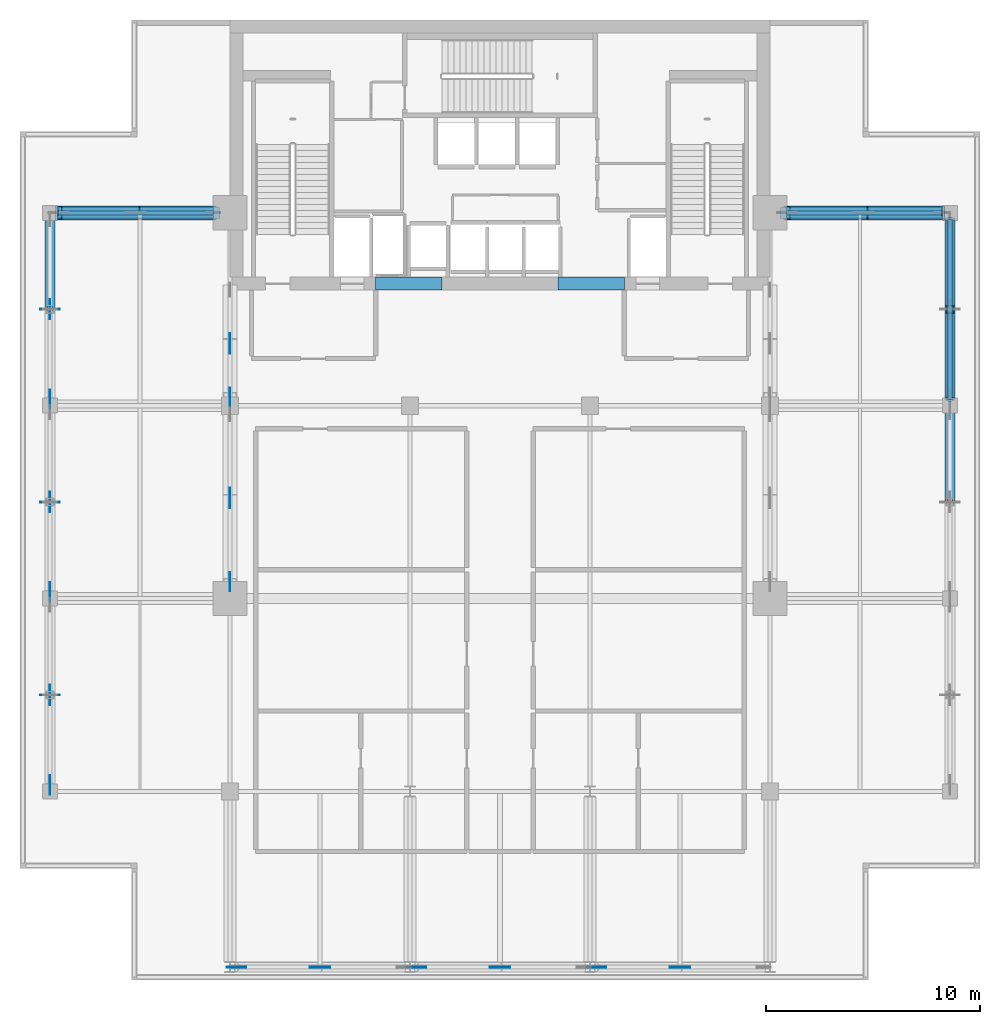
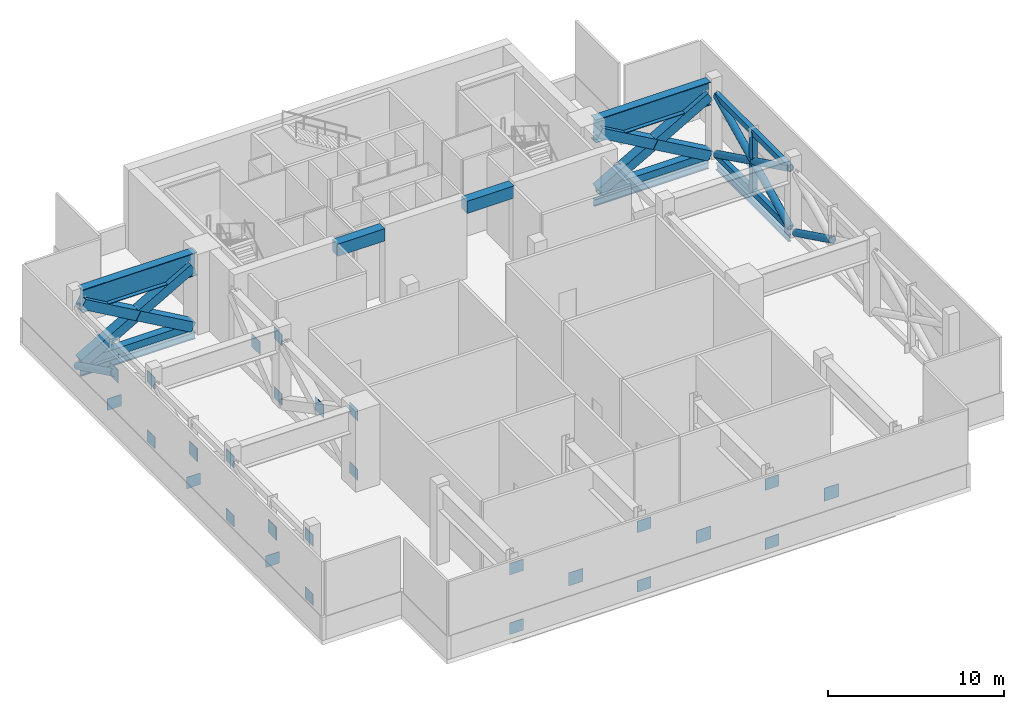
# One storey, part 3 of 11: 27 plates, 16 members, 7 beams.
"""IFC4 building model written with IfcOpenShell, lengths in metres."""

from ifc_helpers import new_model, si_unit, direction, frame, origin, origin_2d, place, context, subcontext, project, spatial, rectangle, hollow_rectangle, hollow_circle, i_section, extrude, material, layer, layer_set, material_profile, profile_set, type_object, element, save


model = new_model("IFC4")

# Units and contexts
model_context = context("Model", 3, precision=1e-05, world=origin(), true_north=direction((0.0, 1.0)))
body_context = subcontext(model_context, "Body", "Model", "MODEL_VIEW")
ifc_project = project(units=[si_unit("LENGTHUNIT", "METRE"), si_unit("AREAUNIT", "SQUARE_METRE"), si_unit("VOLUMEUNIT", "CUBIC_METRE"), si_unit("PLANEANGLEUNIT", "RADIAN"), si_unit("MASSUNIT", "GRAM", prefix="KILO")], contexts=[model_context])

# Site, building, storey
site_placement = place(None, origin())
site = spatial("IfcSite", under=ifc_project, at=site_placement, CompositionType="ELEMENT")
building_placement = place(site_placement, origin())
building = spatial("IfcBuilding", under=site, at=building_placement, Name="Maruvema Waterfront Hotel and Observation Tower", CompositionType="ELEMENT")
storey_placement = place(building_placement, frame((0.0, 0.0, 316.39990234375)))
storey = spatial("IfcBuildingStorey", under=building, at=storey_placement, Name="L78", CompositionType="ELEMENT", Elevation=316.39990234375)

# Beams
ifc_material_1 = material(Name="Concrete C60/75", Category="concrete")
ifc_material_profile_1 = material_profile(ifc_material_1, rectangle(XDim=0.60009765625, YDim=0.85009765625, at=origin_2d()), Name="CB600x850")
ifc_profile_set_1 = profile_set([ifc_material_profile_1], Name="Concrete C60/75")
beam_type_1 = type_object("IfcBeamType", Name="Core Coupling Lintel Beam CB600x850", PredefinedType="LINTEL", material=ifc_profile_set_1)
for number, where, z_axis, x_axis, name in (
    (1, (32.0, 41.699951171875, 4.93505859375), (1.0, 0.0, 0.0), (0.0, 1.0, 0.0), "L78 Core Coupling Lintel Beam West"),
    (2, (40.5, 41.699951171875, 4.93505859375), (1.0, 0.0, 0.0), (0.0, 1.0, 0.0), "L78 Core Coupling Lintel Beam East"),
):
    element("IfcBeam", number, at=place(storey_placement, frame(where, z_axis=z_axis, x_axis=x_axis)), inside=storey, type_object=beam_type_1, Name=name, PredefinedType="LINTEL", context=body_context, shape_type="SweptSolid", body=[
        extrude(rectangle(XDim=0.60009765625, YDim=0.85009765625, at=origin_2d()), origin(), (0.0, 0.0, 1.0), 3.10009765625),
    ])

# Members
ifc_material_2 = material(Name="Steel ABNT NBR 7007 AR 415 (ASTM A572 Grade 50)", Category="steel")
ifc_material_profile_2 = material_profile(ifc_material_2, hollow_rectangle(XDim=0.5, YDim=0.5, WallThickness=0.028076171875, at=origin_2d()), Name="SHS500x500x28.0")
ifc_profile_set_2 = profile_set([ifc_material_profile_2], Name="Steel ABNT NBR 7007 AR 415 (ASTM A572 Grade 50)")
member_type_1 = type_object("IfcMemberType", Name="Outrigger Truss Chord SHS500x500x28.0", PredefinedType="CHORD", material=ifc_profile_set_2)
for number, where, z_axis, x_axis, name in (
    (3, (17.199951171875, 45.0, 0.25), (1.0, 0.0, 0.0), (0.0, 1.0, 0.0), "L78 Outrigger Wing Bottom Chord W1"),
    (4, (51.179931640625, 45.0, 0.25), (1.0, 0.0, 0.0), (0.0, 1.0, 0.0), "L78 Outrigger Wing Bottom Chord E1"),
):
    element("IfcMember", number, at=place(storey_placement, frame(where, z_axis=z_axis, x_axis=x_axis)), inside=storey, type_object=member_type_1, Name=name, PredefinedType="CHORD", context=body_context, shape_type="SweptSolid", body=[
        extrude(hollow_rectangle(XDim=0.5, YDim=0.5, WallThickness=0.028076171875, at=origin_2d()), origin(), (0.0, 0.0, 1.0), 7.219970703125),
    ])
ifc_material_3 = material(Name="Steel ABNT NBR 7007 AR 415 (ASTM A572 Grade 50)", Category="steel")
ifc_material_profile_3 = material_profile(ifc_material_3, hollow_rectangle(XDim=0.64990234375, YDim=0.64990234375, WallThickness=0.035888671875, at=origin_2d()), Name="SHS650x650x36.0")
ifc_profile_set_3 = profile_set([ifc_material_profile_3], Name="Steel ABNT NBR 7007 AR 415 (ASTM A572 Grade 50)")
member_type_2 = type_object("IfcMemberType", Name="Outrigger Truss Diagonal SHS650x650x36.0", PredefinedType="BRACE", material=ifc_profile_set_3)
member_1_placement = place(storey_placement, frame((17.199951171875, 45.0, 0.25), z_axis=(0.868013655597, 0.0, 0.496540324341), x_axis=(0.0, 1.0, 0.0)))
element("IfcMember", 5, at=member_1_placement, inside=storey, type_object=member_type_2, Name="L78 Outrigger Wing Diagonal W1 Continuous A", PredefinedType="BRACE", context=body_context, shape_type="SweptSolid", body=[
    extrude(hollow_rectangle(XDim=0.64990234375, YDim=0.64990234375, WallThickness=0.035888671875, at=origin_2d()), origin(), (0.0, 0.0, 1.0), 8.31787109375),
])
for number, where, z_axis, x_axis, name in (
    (6, (24.419921875, 45.0, 0.25), (-0.868003460233, 0.0, 0.496558146669), (0.0, -1.0, 0.0), "L78 Outrigger Wing Diagonal W1 Split Lower B1"),
    (7, (20.79248046875, 45.0, 2.324951171875), (-0.868003460233, 0.0, 0.496558146669), (0.0, -1.0, 0.0), "L78 Outrigger Wing Diagonal W1 Split Upper B2"),
):
    element("IfcMember", number, at=place(storey_placement, frame(where, z_axis=z_axis, x_axis=x_axis)), inside=storey, type_object=member_type_2, Name=name, PredefinedType="BRACE", context=body_context, shape_type="SweptSolid", body=[
        extrude(hollow_rectangle(XDim=0.64990234375, YDim=0.64990234375, WallThickness=0.035888671875, at=origin_2d()), origin(), (0.0, 0.0, 1.0), 4.138916015625),
    ])
member_2_placement = place(storey_placement, frame((51.179931640625, 45.0, 0.25), z_axis=(0.868013655597, 0.0, 0.496540324341), x_axis=(0.0, 1.0, 0.0)))
element("IfcMember", 8, at=member_2_placement, inside=storey, type_object=member_type_2, Name="L78 Outrigger Wing Diagonal E1 Continuous A", PredefinedType="BRACE", context=body_context, shape_type="SweptSolid", body=[
    extrude(hollow_rectangle(XDim=0.64990234375, YDim=0.64990234375, WallThickness=0.035888671875, at=origin_2d()), origin(), (0.0, 0.0, 1.0), 8.31787109375),
])
member_3_placement = place(storey_placement, frame((58.39990234375, 45.0, 0.25), z_axis=(-0.868003460233, 0.0, 0.496558146669), x_axis=(0.0, -1.0, 0.0)))
element("IfcMember", 9, at=member_3_placement, inside=storey, type_object=member_type_2, Name="L78 Outrigger Wing Diagonal E1 Split Lower B1", PredefinedType="BRACE", context=body_context, shape_type="SweptSolid", body=[
    extrude(hollow_rectangle(XDim=0.64990234375, YDim=0.64990234375, WallThickness=0.035888671875, at=origin_2d()), origin(), (0.0, 0.0, 1.0), 4.138916015625),
])
member_4_placement = place(storey_placement, frame((54.772705078125, 45.0, 2.324951171875), z_axis=(-0.868018003704, 0.0, 0.496532723238), x_axis=(0.0, -1.0, 0.0)))
element("IfcMember", 10, at=member_4_placement, inside=storey, type_object=member_type_2, Name="L78 Outrigger Wing Diagonal E1 Split Upper B2", PredefinedType="BRACE", context=body_context, shape_type="SweptSolid", body=[
    extrude(hollow_rectangle(XDim=0.64990234375, YDim=0.64990234375, WallThickness=0.035888671875, at=origin_2d()), origin(), (0.0, 0.0, 1.0), 4.13916015625),
])
ifc_material_4 = material(Name="Steel ABNT NBR 7007 AR 415 (ASTM A572 Grade 50)", Category="steel")
ifc_material_profile_4 = material_profile(ifc_material_4, hollow_rectangle(XDim=0.300048828125, YDim=0.39990234375, WallThickness=0.02001953125, at=origin_2d()), Name="RHS400x300x20.0")
ifc_profile_set_4 = profile_set([ifc_material_profile_4], Name="Steel ABNT NBR 7007 AR 415 (ASTM A572 Grade 50)")
member_type_3 = type_object("IfcMemberType", Name="Perimeter Belt Truss Chord RHS400x300x20.0", PredefinedType="CHORD", material=ifc_profile_set_4)
for number, where, z_axis, x_axis, name in (
    (11, (58.800048828125, 36.300048828125, 0.25), (0.0, 1.0, 0.0), (-1.0, 0.0, 0.0), "L78 Perimeter Belt Truss Chord E6"),
    (12, (58.800048828125, 36.300048828125, 4.380126953125), (0.0, 1.0, 0.0), (-1.0, 0.0, 0.0), "L78 Perimeter Belt Truss Top Chord E6"),
):
    element("IfcMember", number, at=place(storey_placement, frame(where, z_axis=z_axis, x_axis=x_axis)), inside=storey, type_object=member_type_3, Name=name, PredefinedType="CHORD", context=body_context, shape_type="SweptSolid", body=[
        extrude(hollow_rectangle(XDim=0.300048828125, YDim=0.39990234375, WallThickness=0.02001953125, at=origin_2d()), origin(), (0.0, 0.0, 1.0), 8.39990234375),
    ])
ifc_material_5 = material(Name="Steel ABNT NBR 7007 AR 350 (ASTM A572 Grade 50)", Category="steel")
ifc_material_profile_5 = material_profile(ifc_material_5, hollow_circle(Radius=0.228515625, WallThickness=0.02001953125, at=origin_2d()), Name="CHS457.0x20.0")
ifc_profile_set_5 = profile_set([ifc_material_profile_5], Name="Steel ABNT NBR 7007 AR 350 (ASTM A572 Grade 50)")
member_type_4 = type_object("IfcMemberType", Name="Perimeter Belt Truss Diagonal CHS457.0x20.0", PredefinedType="BRACE", material=ifc_profile_set_5)
for number, where, z_axis, x_axis, name in (
    (13, (16.800048828125, 44.699951171875, 0.25), (0.0, -0.897382953246, 0.441252575317), (1.0, 0.0, 0.0), "L78 Perimeter Belt Truss Diagonal W3 Split Lower B1"),
    (14, (58.800048828125, 35.699951171875, 0.25), (0.0, -0.897382953246, 0.441252575317), (1.0, 0.0, 0.0), "L78 Perimeter Belt Truss Diagonal E5 Split Lower B1"),
):
    element("IfcMember", number, at=place(storey_placement, frame(where, z_axis=z_axis, x_axis=x_axis)), inside=storey, type_object=member_type_4, Name=name, PredefinedType="BRACE", context=body_context, shape_type="SweptSolid", body=[
        extrude(hollow_circle(Radius=0.228515625, WallThickness=0.02001953125, at=origin_2d()), origin(), (0.0, 0.0, 1.0), 4.660400390625),
    ])
member_5_placement = place(storey_placement, frame((58.800048828125, 36.300048828125, 0.25), z_axis=(0.0, 0.897391109311, 0.441235987799), x_axis=(-1.0, 0.0, 0.0)))
element("IfcMember", 15, at=member_5_placement, inside=storey, type_object=member_type_4, Name="L78 Perimeter Belt Truss Diagonal E6 Continuous A", PredefinedType="BRACE", context=body_context, shape_type="SweptSolid", body=[
    extrude(hollow_circle(Radius=0.228515625, WallThickness=0.02001953125, at=origin_2d()), origin(), (0.0, 0.0, 1.0), 9.3603515625),
])
member_6_placement = place(storey_placement, frame((58.800048828125, 44.699951171875, 0.25), z_axis=(0.0, -0.897382953246, 0.441252575317), x_axis=(1.0, 0.0, 0.0)))
element("IfcMember", 16, at=member_6_placement, inside=storey, type_object=member_type_4, Name="L78 Perimeter Belt Truss Diagonal E6 Split Lower B1", PredefinedType="BRACE", context=body_context, shape_type="SweptSolid", body=[
    extrude(hollow_circle(Radius=0.228515625, WallThickness=0.02001953125, at=origin_2d()), origin(), (0.0, 0.0, 1.0), 4.660400390625),
])
member_7_placement = place(storey_placement, frame((58.800048828125, 40.482177734375, 2.323974609375), z_axis=(0.0, -0.8974036964, 0.441210387103), x_axis=(1.0, 0.0, 0.0)))
element("IfcMember", 17, at=member_7_placement, inside=storey, type_object=member_type_4, Name="L78 Perimeter Belt Truss Diagonal E6 Split Upper B2", PredefinedType="BRACE", context=body_context, shape_type="SweptSolid", body=[
    extrude(hollow_circle(Radius=0.228515625, WallThickness=0.02001953125, at=origin_2d()), origin(), (0.0, 0.0, 1.0), 4.66015625),
])
ifc_material_6 = material(Name="Steel ABNT NBR 7007 AR 415 (ASTM A572 Grade 50)", Category="steel")
ifc_material_profile_6 = material_profile(ifc_material_6, hollow_rectangle(XDim=0.35009765625, YDim=0.35009765625, WallThickness=0.02001953125, at=origin_2d()), Name="SHS350x350x20.0")
ifc_profile_set_6 = profile_set([ifc_material_profile_6], Name="Steel ABNT NBR 7007 AR 415 (ASTM A572 Grade 50)")
member_type_5 = type_object("IfcMemberType", Name="Perimeter Belt Truss Post SHS350x350x20.0", PredefinedType="POST", material=ifc_profile_set_6)
member_8_placement = place(storey_placement, frame((58.800048828125, 40.5, 0.25), z_axis=(0.0, 0.0, 1.0), x_axis=(1.0, 0.0, 0.0)))
element("IfcMember", 18, at=member_8_placement, inside=storey, type_object=member_type_5, Name="L78 Perimeter Belt Truss Post E6", PredefinedType="POST", context=body_context, shape_type="SweptSolid", body=[
    extrude(hollow_rectangle(XDim=0.35009765625, YDim=0.35009765625, WallThickness=0.02001953125, at=origin_2d()), origin(), (0.0, 0.0, 1.0), 4.130126953125),
])

# Beams
ifc_material_7 = material(Name="Steel ASTM A572 Grade 50", Category="steel")
ifc_material_profile_7 = material_profile(ifc_material_7, i_section(OverallWidth=0.194091796875, OverallDepth=0.468994140625, WebThickness=0.0126953125, FlangeThickness=0.0205078125, FilletRadius=0.014892578125, at=origin_2d()), Name="W460x106.0")
ifc_profile_set_7 = profile_set([ifc_material_profile_7], Name="Steel ASTM A572 Grade 50")
beam_type_2 = type_object("IfcBeamType", Name="Primary Floor Girder W460x106.0", PredefinedType="BEAM", material=ifc_profile_set_7)
for number, where, z_axis, x_axis, name in (
    (19, (17.14990234375, 45.0, -0.534423828125), (1.0, 0.0, 0.0), (0.0, 1.0, 0.0), "L78 Floor Girder EW-17"),
    (20, (50.89990234375, 45.0, -0.534423828125), (1.0, 0.0, 0.0), (0.0, 1.0, 0.0), "L78 Floor Girder EW-18"),
):
    element("IfcBeam", number, at=place(storey_placement, frame(where, z_axis=z_axis, x_axis=x_axis)), inside=storey, type_object=beam_type_2, Name=name, PredefinedType="BEAM", context=body_context, shape_type="SweptSolid", body=[
        extrude(i_section(OverallWidth=0.194091796875, OverallDepth=0.468994140625, WebThickness=0.0126953125, FlangeThickness=0.0205078125, FilletRadius=0.014892578125, at=origin_2d()), origin(), (0.0, 0.0, 1.0), 7.550048828125),
    ])
beam_placement = place(storey_placement, frame((58.800048828125, 36.35009765625, -0.534423828125), z_axis=(0.0, 1.0, 0.0), x_axis=(-1.0, 0.0, 0.0)))
element("IfcBeam", 21, at=beam_placement, inside=storey, type_object=beam_type_2, Name="L78 Floor Girder NS-18", PredefinedType="BEAM", context=body_context, shape_type="SweptSolid", body=[
    extrude(i_section(OverallWidth=0.194091796875, OverallDepth=0.468994140625, WebThickness=0.0126953125, FlangeThickness=0.0205078125, FilletRadius=0.014892578125, at=origin_2d()), origin(), (0.0, 0.0, 1.0), 8.2998046875),
])
ifc_material_8 = material(Name="Steel ABNT NBR 7007 AR 415 (ASTM A572 Grade 50)", Category="steel")
ifc_material_profile_8 = material_profile(ifc_material_8, i_section(OverallWidth=0.550048828125, OverallDepth=1.60009765625, WebThickness=0.02197265625, FlangeThickness=0.0400390625, at=origin_2d()), Name="VS1600x548")
ifc_profile_set_8 = profile_set([ifc_material_profile_8], Name="Steel ABNT NBR 7007 AR 415 (ASTM A572 Grade 50)")
beam_type_3 = type_object("IfcBeamType", Name="Setback Transfer Girder VS1600x548", PredefinedType="USERDEFINED", material=ifc_profile_set_8)
for number, where, z_axis, x_axis, name in (
    (22, (17.14990234375, 45.0, 4.56005859375), (1.0, 0.0, 0.0), (0.0, 1.0, 0.0), "L78 Setback Transfer Girder W Y=45.0m"),
    (23, (50.89990234375, 45.0, 4.56005859375), (1.0, 0.0, 0.0), (0.0, 1.0, 0.0), "L78 Setback Transfer Girder E Y=45.0m"),
):
    element("IfcBeam", number, at=place(storey_placement, frame(where, z_axis=z_axis, x_axis=x_axis)), inside=storey, type_object=beam_type_3, Name=name, ObjectType="TRANSFER GIRDER", PredefinedType="USERDEFINED", context=body_context, shape_type="SweptSolid", body=[
        extrude(i_section(OverallWidth=0.550048828125, OverallDepth=1.60009765625, WebThickness=0.02197265625, FlangeThickness=0.0400390625, at=origin_2d()), origin(), (0.0, 0.0, 1.0), 7.550048828125),
    ])

# Plates
ifc_material_9 = material(Name="Steel ABNT NBR 7007 AR 415 (ASTM A572 Grade 50)", Category="steel")
ifc_layer = layer(ifc_material_9, 0.0400390625, Name="Structural Truss Node Gusset Plate 40 mm")
ifc_layer_set = layer_set([ifc_layer], Name="Steel ABNT NBR 7007 AR 415 (ASTM A572 Grade 50)")
plate_type = type_object("IfcPlateType", Name="Structural Truss Node Gusset Plate 40 mm", PredefinedType="USERDEFINED", material=ifc_layer_set)
for number, where, z_axis, x_axis, name in (
    (24, (25.199951171875, 27.780029296875, -0.14990234375), (0.0, 0.0, 1.0), (0.0, 1.0, 0.0), "L78 Outrigger Truss Bottom Chord W1 Node Plate 1"),
    (25, (25.199951171875, 27.780029296875, 3.97998046875), (0.0, 0.0, 1.0), (0.0, 1.0, 0.0), "L78 Outrigger Truss Top Chord W1 Node Plate 1"),
):
    element("IfcPlate", number, at=place(storey_placement, frame(where, z_axis=z_axis, x_axis=x_axis)), inside=storey, type_object=plate_type, Name=name, ObjectType="GUSSET_PLATE", PredefinedType="USERDEFINED", context=body_context, shape_type="SweptSolid", body=[
        extrude(rectangle(XDim=0.89990234375, YDim=0.0400390625, at=origin_2d()), origin(), (0.0, 0.0, 1.0), 0.800048828125),
    ])
plate_1_placement = place(storey_placement, frame((25.199951171875, 31.68994140625, 1.865234375), z_axis=(0.0, 0.0, 1.0), x_axis=(0.0, -1.0, 0.0)))
element("IfcPlate", 26, at=plate_1_placement, inside=storey, type_object=plate_type, Name="L78 Outrigger Truss Diagonal W1 Crossing Gusset Node Plate", ObjectType="GUSSET_PLATE", PredefinedType="USERDEFINED", context=body_context, shape_type="SweptSolid", body=[
    extrude(rectangle(XDim=0.949951171875, YDim=0.0400390625, at=origin_2d()), origin(), (0.0, 0.0, 1.0), 0.89990234375),
])
for number, where, z_axis, x_axis, name in (
    (27, (25.199951171875, 36.39990234375, -0.14990234375), (0.0, 0.0, 1.0), (0.0, 1.0, 0.0), "L78 Outrigger Truss Bottom Chord W2 Node Plate 1"),
    (28, (25.199951171875, 36.39990234375, 3.97998046875), (0.0, 0.0, 1.0), (0.0, 1.0, 0.0), "L78 Outrigger Truss Top Chord W2 Node Plate 1"),
):
    element("IfcPlate", number, at=place(storey_placement, frame(where, z_axis=z_axis, x_axis=x_axis)), inside=storey, type_object=plate_type, Name=name, ObjectType="GUSSET_PLATE", PredefinedType="USERDEFINED", context=body_context, shape_type="SweptSolid", body=[
        extrude(rectangle(XDim=0.89990234375, YDim=0.0400390625, at=origin_2d()), origin(), (0.0, 0.0, 1.0), 0.800048828125),
    ])
plate_2_placement = place(storey_placement, frame((25.199951171875, 38.909912109375, 1.865234375), z_axis=(0.0, 0.0, 1.0), x_axis=(0.0, -1.0, 0.0)))
element("IfcPlate", 29, at=plate_2_placement, inside=storey, type_object=plate_type, Name="L78 Outrigger Truss Diagonal W2 Crossing Gusset Node Plate", ObjectType="GUSSET_PLATE", PredefinedType="USERDEFINED", context=body_context, shape_type="SweptSolid", body=[
    extrude(rectangle(XDim=0.949951171875, YDim=0.0400390625, at=origin_2d()), origin(), (0.0, 0.0, 1.0), 0.89990234375),
])
for number, where, z_axis, x_axis, name in (
    (30, (16.800048828125, 18.300048828125, -0.14990234375), (0.0, 0.0, 1.0), (0.0, 1.0, 0.0), "L78 Perimeter Belt Truss Chord W1 Node Plate 1"),
    (31, (16.800048828125, 18.300048828125, 3.97998046875), (0.0, 0.0, 1.0), (0.0, 1.0, 0.0), "L78 Perimeter Belt Truss Top Chord W1 Node Plate 1"),
    (32, (16.800048828125, 22.5, -0.14990234375), (0.0, 0.0, 1.0), (1.0, 0.0, 0.0), "L78 Perimeter Belt Truss Post W1 Node Plate 1"),
):
    element("IfcPlate", number, at=place(storey_placement, frame(where, z_axis=z_axis, x_axis=x_axis)), inside=storey, type_object=plate_type, Name=name, ObjectType="GUSSET_PLATE", PredefinedType="USERDEFINED", context=body_context, shape_type="SweptSolid", body=[
        extrude(rectangle(XDim=0.89990234375, YDim=0.0400390625, at=origin_2d()), origin(), (0.0, 0.0, 1.0), 0.800048828125),
    ])
plate_3_placement = place(storey_placement, frame((16.800048828125, 22.5, 1.865234375), z_axis=(0.0, 0.0, 1.0), x_axis=(0.0, -1.0, 0.0)))
element("IfcPlate", 33, at=plate_3_placement, inside=storey, type_object=plate_type, Name="L78 Perimeter Belt Truss Diagonal W1 Crossing Gusset Node Plate", ObjectType="GUSSET_PLATE", PredefinedType="USERDEFINED", context=body_context, shape_type="SweptSolid", body=[
    extrude(rectangle(XDim=0.949951171875, YDim=0.0400390625, at=origin_2d()), origin(), (0.0, 0.0, 1.0), 0.89990234375),
])
for number, where, z_axis, x_axis, name in (
    (34, (16.800048828125, 27.300048828125, -0.14990234375), (0.0, 0.0, 1.0), (0.0, 1.0, 0.0), "L78 Perimeter Belt Truss Chord W2 Node Plate 1"),
    (35, (16.800048828125, 27.300048828125, 3.97998046875), (0.0, 0.0, 1.0), (0.0, 1.0, 0.0), "L78 Perimeter Belt Truss Top Chord W2 Node Plate 1"),
    (36, (16.800048828125, 31.5, -0.14990234375), (0.0, 0.0, 1.0), (1.0, 0.0, 0.0), "L78 Perimeter Belt Truss Post W2 Node Plate 1"),
):
    element("IfcPlate", number, at=place(storey_placement, frame(where, z_axis=z_axis, x_axis=x_axis)), inside=storey, type_object=plate_type, Name=name, ObjectType="GUSSET_PLATE", PredefinedType="USERDEFINED", context=body_context, shape_type="SweptSolid", body=[
        extrude(rectangle(XDim=0.89990234375, YDim=0.0400390625, at=origin_2d()), origin(), (0.0, 0.0, 1.0), 0.800048828125),
    ])
plate_4_placement = place(storey_placement, frame((16.800048828125, 31.5, 1.865234375), z_axis=(0.0, 0.0, 1.0), x_axis=(0.0, -1.0, 0.0)))
element("IfcPlate", 37, at=plate_4_placement, inside=storey, type_object=plate_type, Name="L78 Perimeter Belt Truss Diagonal W2 Crossing Gusset Node Plate", ObjectType="GUSSET_PLATE", PredefinedType="USERDEFINED", context=body_context, shape_type="SweptSolid", body=[
    extrude(rectangle(XDim=0.949951171875, YDim=0.0400390625, at=origin_2d()), origin(), (0.0, 0.0, 1.0), 0.89990234375),
])
for number, where, z_axis, x_axis, name in (
    (38, (16.800048828125, 36.300048828125, -0.14990234375), (0.0, 0.0, 1.0), (0.0, 1.0, 0.0), "L78 Perimeter Belt Truss Chord W3 Node Plate 1"),
    (39, (16.800048828125, 36.300048828125, 3.97998046875), (0.0, 0.0, 1.0), (0.0, 1.0, 0.0), "L78 Perimeter Belt Truss Top Chord W3 Node Plate 1"),
    (40, (16.800048828125, 40.5, -0.14990234375), (0.0, 0.0, 1.0), (1.0, 0.0, 0.0), "L78 Perimeter Belt Truss Post W3 Node Plate 1"),
):
    element("IfcPlate", number, at=place(storey_placement, frame(where, z_axis=z_axis, x_axis=x_axis)), inside=storey, type_object=plate_type, Name=name, ObjectType="GUSSET_PLATE", PredefinedType="USERDEFINED", context=body_context, shape_type="SweptSolid", body=[
        extrude(rectangle(XDim=0.89990234375, YDim=0.0400390625, at=origin_2d()), origin(), (0.0, 0.0, 1.0), 0.800048828125),
    ])
plate_5_placement = place(storey_placement, frame((16.800048828125, 40.5, 1.865234375), z_axis=(0.0, 0.0, 1.0), x_axis=(0.0, -1.0, 0.0)))
element("IfcPlate", 41, at=plate_5_placement, inside=storey, type_object=plate_type, Name="L78 Perimeter Belt Truss Diagonal W3 Crossing Gusset Node Plate", ObjectType="GUSSET_PLATE", PredefinedType="USERDEFINED", context=body_context, shape_type="SweptSolid", body=[
    extrude(rectangle(XDim=0.949951171875, YDim=0.0400390625, at=origin_2d()), origin(), (0.0, 0.0, 1.0), 0.89990234375),
])
for number, where, z_axis, x_axis, name in (
    (42, (25.5, 9.800048828125, -0.14990234375), (0.0, 0.0, 1.0), (1.0, 0.0, 0.0), "L78 South Perimeter Belt Truss Chord 1 Node Plate 1"),
    (43, (25.5, 9.800048828125, 3.97998046875), (0.0, 0.0, 1.0), (1.0, 0.0, 0.0), "L78 South Perimeter Belt Truss Top Chord 1 Node Plate 1"),
):
    element("IfcPlate", number, at=place(storey_placement, frame(where, z_axis=z_axis, x_axis=x_axis)), inside=storey, type_object=plate_type, Name=name, ObjectType="GUSSET_PLATE", PredefinedType="USERDEFINED", context=body_context, shape_type="SweptSolid", body=[
        extrude(rectangle(XDim=0.89990234375, YDim=0.0400390625, at=origin_2d()), origin(), (0.0, 0.0, 1.0), 0.800048828125),
    ])
plate_6_placement = place(storey_placement, frame((29.39990234375, 9.800048828125, 1.865234375), z_axis=(0.0, 0.0, 1.0), x_axis=(-1.0, 0.0, 0.0)))
element("IfcPlate", 44, at=plate_6_placement, inside=storey, type_object=plate_type, Name="L78 South Perimeter Belt Truss Diagonal 1 Crossing Gusset Node Plate", ObjectType="GUSSET_PLATE", PredefinedType="USERDEFINED", context=body_context, shape_type="SweptSolid", body=[
    extrude(rectangle(XDim=0.949951171875, YDim=0.0400390625, at=origin_2d()), origin(), (0.0, 0.0, 1.0), 0.89990234375),
])
for number, where, z_axis, x_axis, name in (
    (45, (33.89990234375, 9.800048828125, -0.14990234375), (0.0, 0.0, 1.0), (1.0, 0.0, 0.0), "L78 South Perimeter Belt Truss Chord 2 Node Plate 1"),
    (46, (33.89990234375, 9.800048828125, 3.97998046875), (0.0, 0.0, 1.0), (1.0, 0.0, 0.0), "L78 South Perimeter Belt Truss Top Chord 2 Node Plate 1"),
):
    element("IfcPlate", number, at=place(storey_placement, frame(where, z_axis=z_axis, x_axis=x_axis)), inside=storey, type_object=plate_type, Name=name, ObjectType="GUSSET_PLATE", PredefinedType="USERDEFINED", context=body_context, shape_type="SweptSolid", body=[
        extrude(rectangle(XDim=0.89990234375, YDim=0.0400390625, at=origin_2d()), origin(), (0.0, 0.0, 1.0), 0.800048828125),
    ])
plate_7_placement = place(storey_placement, frame((37.800048828125, 9.800048828125, 1.865234375), z_axis=(0.0, 0.0, 1.0), x_axis=(-1.0, 0.0, 0.0)))
element("IfcPlate", 47, at=plate_7_placement, inside=storey, type_object=plate_type, Name="L78 South Perimeter Belt Truss Diagonal 2 Crossing Gusset Node Plate", ObjectType="GUSSET_PLATE", PredefinedType="USERDEFINED", context=body_context, shape_type="SweptSolid", body=[
    extrude(rectangle(XDim=0.949951171875, YDim=0.0400390625, at=origin_2d()), origin(), (0.0, 0.0, 1.0), 0.89990234375),
])
for number, where, z_axis, x_axis, name in (
    (48, (42.300048828125, 9.800048828125, -0.14990234375), (0.0, 0.0, 1.0), (1.0, 0.0, 0.0), "L78 South Perimeter Belt Truss Chord 3 Node Plate 1"),
    (49, (42.300048828125, 9.800048828125, 3.97998046875), (0.0, 0.0, 1.0), (1.0, 0.0, 0.0), "L78 South Perimeter Belt Truss Top Chord 3 Node Plate 1"),
):
    element("IfcPlate", number, at=place(storey_placement, frame(where, z_axis=z_axis, x_axis=x_axis)), inside=storey, type_object=plate_type, Name=name, ObjectType="GUSSET_PLATE", PredefinedType="USERDEFINED", context=body_context, shape_type="SweptSolid", body=[
        extrude(rectangle(XDim=0.89990234375, YDim=0.0400390625, at=origin_2d()), origin(), (0.0, 0.0, 1.0), 0.800048828125),
    ])
plate_8_placement = place(storey_placement, frame((46.199951171875, 9.800048828125, 1.865234375), z_axis=(0.0, 0.0, 1.0), x_axis=(-1.0, 0.0, 0.0)))
element("IfcPlate", 50, at=plate_8_placement, inside=storey, type_object=plate_type, Name="L78 South Perimeter Belt Truss Diagonal 3 Crossing Gusset Node Plate", ObjectType="GUSSET_PLATE", PredefinedType="USERDEFINED", context=body_context, shape_type="SweptSolid", body=[
    extrude(rectangle(XDim=0.949951171875, YDim=0.0400390625, at=origin_2d()), origin(), (0.0, 0.0, 1.0), 0.89990234375),
])

save(model, "model.ifc")
